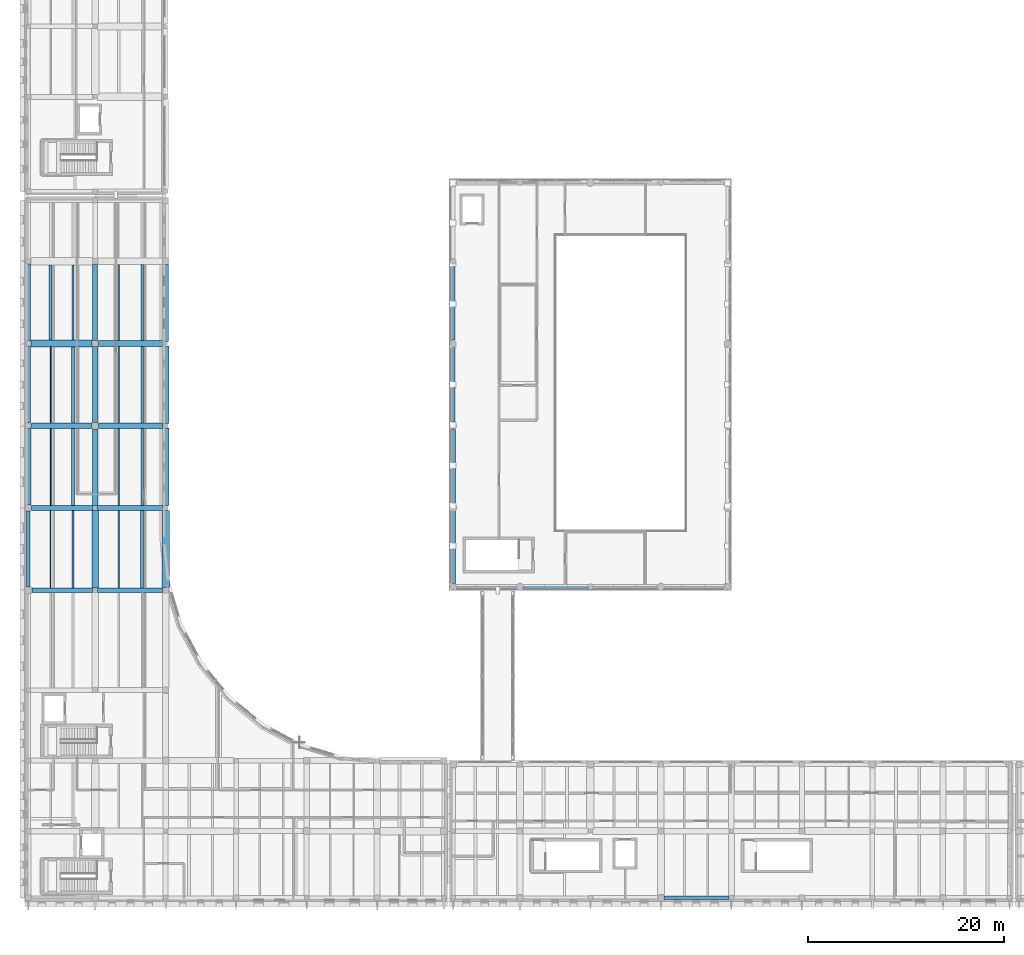
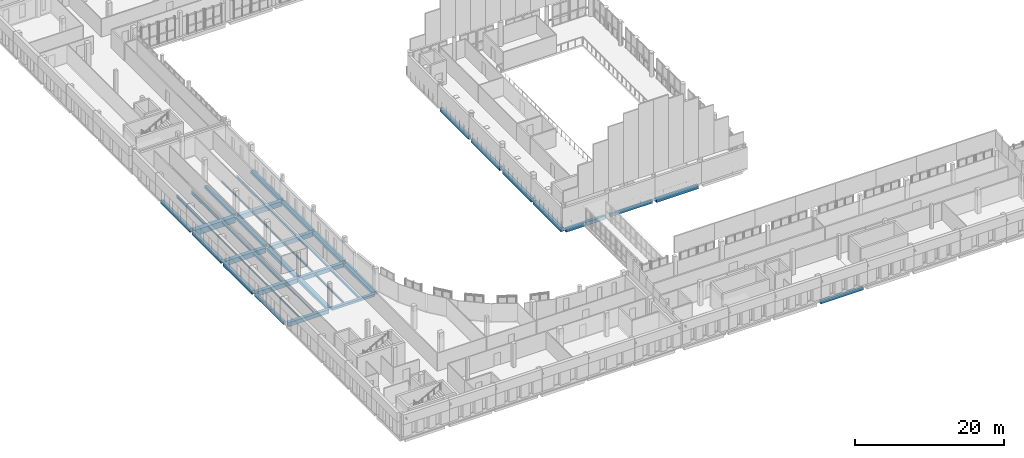
# One storey, part 14 of 76: 44 beams.
"""IFC4 building model written with IfcOpenShell, lengths in metres."""

from ifc_helpers import new_model, si_unit, direction, frame, origin, origin_2d, place, context, subcontext, project, spatial, rectangle, i_section, extrude, material, material_profile, profile_set, type_object, element, save


model = new_model("IFC4")

# Units and contexts
model_context = context("Model", 3, precision=1e-05, world=origin(), true_north=direction((0.0, 1.0)))
body_context = subcontext(model_context, "Body", "Model", "MODEL_VIEW")
ifc_project = project(units=[si_unit("LENGTHUNIT", "METRE"), si_unit("AREAUNIT", "SQUARE_METRE"), si_unit("VOLUMEUNIT", "CUBIC_METRE"), si_unit("PLANEANGLEUNIT", "RADIAN"), si_unit("MASSUNIT", "GRAM", prefix="KILO")], contexts=[model_context])

# Site, building, storey
site_placement = place(None, origin())
site = spatial("IfcSite", under=ifc_project, at=site_placement, CompositionType="ELEMENT")
building_placement = place(site_placement, origin())
building = spatial("IfcBuilding", under=site, at=building_placement, Name="Vardoun Plaza Health Centre", CompositionType="ELEMENT")
storey_placement = place(building_placement, frame((0.0, 0.0, 4.5)))
storey = spatial("IfcBuildingStorey", under=building, at=storey_placement, Name="L01", CompositionType="ELEMENT", Elevation=4.5)

# Beams
ifc_material_1 = material(Name="Concrete C35/45", Category="concrete")
ifc_material_profile_1 = material_profile(ifc_material_1, rectangle(XDim=0.35009765625, YDim=0.5, at=origin_2d()), Name="RC-BM 350x500")
ifc_profile_set_1 = profile_set([ifc_material_profile_1], Name="Concrete C35/45")
beam_type_1 = type_object("IfcBeamType", Name="B-08", PredefinedType="SPANDREL", material=ifc_profile_set_1)
beam_1_placement = place(storey_placement, frame((55.455078125, 36.679931640625, -0.530029296875), z_axis=(1.0, 0.0, 0.0), x_axis=(0.0, 1.0, 0.0)))
element("IfcBeam", 1, at=beam_1_placement, inside=storey, type_object=beam_type_1, Name="V1 L01 Beam B-V1-L01-X03", PredefinedType="SPANDREL", context=body_context, shape_type="SweptSolid", body=[
    extrude(rectangle(XDim=0.35009765625, YDim=0.5, at=origin_2d()), origin(), (0.0, 0.0, 1.0), 6.52490234375),
])
beam_2_placement = place(storey_placement, frame((4.8798828125, 36.650146484375, -0.530029296875), z_axis=(0.0, 1.0, 0.0), x_axis=(-1.0, 0.0, 0.0)))
element("IfcBeam", 2, at=beam_2_placement, inside=storey, type_object=beam_type_1, Name="V2 L01 Beam B-V2-L01-Y37", PredefinedType="SPANDREL", context=body_context, shape_type="SweptSolid", body=[
    extrude(rectangle(XDim=0.35009765625, YDim=0.5, at=origin_2d()), origin(), (0.0, 0.0, 1.0), 7.724853515625),
])
beam_3_placement = place(storey_placement, frame((69.804931640625, 4.8798828125, -0.56494140625), z_axis=(1.0, 0.0, 0.0), x_axis=(0.0, 1.0, 0.0)))
element("IfcBeam", 3, at=beam_3_placement, inside=storey, type_object=beam_type_1, Name="V4 L01 Beam B-V4-L01-X10", PredefinedType="SPANDREL", context=body_context, shape_type="SweptSolid", body=[
    extrude(rectangle(XDim=0.35009765625, YDim=0.5, at=origin_2d()), origin(), (0.0, 0.0, 1.0), 6.625),
])
ifc_material_2 = material(Name="Concrete C35/45", Category="concrete")
ifc_material_profile_2 = material_profile(ifc_material_2, rectangle(XDim=0.39990234375, YDim=0.550048828125, at=origin_2d()), Name="RC-BM 400x550")
ifc_profile_set_2 = profile_set([ifc_material_profile_2], Name="Concrete C35/45")
beam_type_2 = type_object("IfcBeamType", Name="B-09", PredefinedType="SPANDREL", material=ifc_profile_set_2)
beam_4_placement = place(storey_placement, frame((48.260009765625, 61.85009765625, -0.554931640625), z_axis=(0.0, 1.0, 0.0), x_axis=(-1.0, 0.0, 0.0)))
element("IfcBeam", 4, at=beam_4_placement, inside=storey, type_object=beam_type_2, Name="V1 L01 Beam B-V1-L01-Y12", PredefinedType="SPANDREL", context=body_context, shape_type="SweptSolid", body=[
    extrude(rectangle(XDim=0.39990234375, YDim=0.550048828125, at=origin_2d()), origin(), (0.0, 0.0, 1.0), 7.75),
])
ifc_material_3 = material(Name="Concrete C35/45", Category="concrete")
ifc_material_profile_3 = material_profile(ifc_material_3, rectangle(XDim=0.419921875, YDim=0.580078125, at=origin_2d()), Name="RC-BM 420x580")
ifc_profile_set_3 = profile_set([ifc_material_profile_3], Name="Concrete C35/45")
beam_type_3 = type_object("IfcBeamType", Name="B-10", PredefinedType="SPANDREL", material=ifc_profile_set_3)
beam_5_placement = place(storey_placement, frame((48.56005859375, 36.679931640625, -0.570068359375), z_axis=(1.0, 0.0, 0.0), x_axis=(0.0, 1.0, 0.0)))
element("IfcBeam", 5, at=beam_5_placement, inside=storey, type_object=beam_type_3, Name="V1 L01 Beam B-V1-L01-X01", PredefinedType="SPANDREL", context=body_context, shape_type="SweptSolid", body=[
    extrude(rectangle(XDim=0.419921875, YDim=0.580078125, at=origin_2d()), origin(), (0.0, 0.0, 1.0), 6.14501953125),
])
beam_6_placement = place(storey_placement, frame((48.260009765625, 53.47509765625, -0.570068359375), z_axis=(0.0, 1.0, 0.0), x_axis=(-1.0, 0.0, 0.0)))
element("IfcBeam", 6, at=beam_6_placement, inside=storey, type_object=beam_type_3, Name="V1 L01 Beam B-V1-L01-Y11", PredefinedType="SPANDREL", context=body_context, shape_type="SweptSolid", body=[
    extrude(rectangle(XDim=0.419921875, YDim=0.580078125, at=origin_2d()), origin(), (0.0, 0.0, 1.0), 7.675048828125),
])
beam_7_placement = place(storey_placement, frame((4.8798828125, 61.775146484375, -0.570068359375), z_axis=(0.0, 1.0, 0.0), x_axis=(-1.0, 0.0, 0.0)))
element("IfcBeam", 7, at=beam_7_placement, inside=storey, type_object=beam_type_3, Name="V2 L01 Beam B-V2-L01-Y40", PredefinedType="SPANDREL", context=body_context, shape_type="SweptSolid", body=[
    extrude(rectangle(XDim=0.419921875, YDim=0.580078125, at=origin_2d()), origin(), (0.0, 0.0, 1.0), 7.875),
])
ifc_material_4 = material(Name="Concrete C35/45", Category="concrete")
ifc_material_profile_4 = material_profile(ifc_material_4, rectangle(XDim=0.449951171875, YDim=0.3798828125, at=origin_2d()), Name="RC-BM 450x380")
ifc_profile_set_4 = profile_set([ifc_material_profile_4], Name="Concrete C35/45")
beam_type_4 = type_object("IfcBeamType", Name="B-01", PredefinedType="BEAM", material=ifc_profile_set_4)
beam_8_placement = place(storey_placement, frame((11.949951171875, 36.300048828125, -0.469970703125), z_axis=(1.0, 0.0, 0.0), x_axis=(0.0, 1.0, 0.0)))
element("IfcBeam", 8, at=beam_8_placement, inside=storey, type_object=beam_type_4, Name="V2 L01 Beam B-V2-L01-X15", PredefinedType="BEAM", context=body_context, shape_type="SweptSolid", body=[
    extrude(rectangle(XDim=0.449951171875, YDim=0.3798828125, at=origin_2d()), origin(), (0.0, 0.0, 1.0), 6.650146484375),
])
ifc_material_5 = material(Name="Concrete C35/45", Category="concrete")
ifc_material_profile_5 = material_profile(ifc_material_5, rectangle(XDim=0.449951171875, YDim=0.60009765625, at=origin_2d()), Name="RC-BM 450x600")
ifc_profile_set_5 = profile_set([ifc_material_profile_5], Name="Concrete C35/45")
beam_type_5 = type_object("IfcBeamType", Name="B-11", PredefinedType="SPANDREL", material=ifc_profile_set_5)
beam_9_placement = place(storey_placement, frame((62.580078125, 36.679931640625, -0.580078125), z_axis=(1.0, 0.0, 0.0), x_axis=(0.0, 1.0, 0.0)))
element("IfcBeam", 9, at=beam_9_placement, inside=storey, type_object=beam_type_5, Name="V1 L01 Beam B-V1-L01-X05", PredefinedType="SPANDREL", context=body_context, shape_type="SweptSolid", body=[
    extrude(rectangle(XDim=0.449951171875, YDim=0.60009765625, at=origin_2d()), origin(), (0.0, 0.0, 1.0), 6.52490234375),
])
beam_10_placement = place(storey_placement, frame((48.260009765625, 44.97509765625, -0.580078125), z_axis=(0.0, 1.0, 0.0), x_axis=(-1.0, 0.0, 0.0)))
element("IfcBeam", 10, at=beam_10_placement, inside=storey, type_object=beam_type_5, Name="V1 L01 Beam B-V1-L01-Y10", PredefinedType="SPANDREL", context=body_context, shape_type="SweptSolid", body=[
    extrude(rectangle(XDim=0.449951171875, YDim=0.60009765625, at=origin_2d()), origin(), (0.0, 0.0, 1.0), 7.75),
])
beam_11_placement = place(storey_placement, frame((4.8798828125, 53.400146484375, -0.580078125), z_axis=(0.0, 1.0, 0.0), x_axis=(-1.0, 0.0, 0.0)))
element("IfcBeam", 11, at=beam_11_placement, inside=storey, type_object=beam_type_5, Name="V2 L01 Beam B-V2-L01-Y39", PredefinedType="SPANDREL", context=body_context, shape_type="SweptSolid", body=[
    extrude(rectangle(XDim=0.449951171875, YDim=0.60009765625, at=origin_2d()), origin(), (0.0, 0.0, 1.0), 7.824951171875),
])
ifc_material_6 = material(Name="Concrete C35/45", Category="concrete")
ifc_material_profile_6 = material_profile(ifc_material_6, rectangle(XDim=0.47998046875, YDim=0.6201171875, at=origin_2d()), Name="RC-BM 480x620")
ifc_profile_set_6 = profile_set([ifc_material_profile_6], Name="Concrete C35/45")
beam_type_6 = type_object("IfcBeamType", Name="B-12", PredefinedType="SPANDREL", material=ifc_profile_set_6)
beam_12_placement = place(storey_placement, frame((48.260009765625, 36.97998046875, -0.590087890625), z_axis=(0.0, 1.0, 0.0), x_axis=(-1.0, 0.0, 0.0)))
element("IfcBeam", 12, at=beam_12_placement, inside=storey, type_object=beam_type_6, Name="V1 L01 Beam B-V1-L01-Y09", PredefinedType="SPANDREL", context=body_context, shape_type="SweptSolid", body=[
    extrude(rectangle(XDim=0.47998046875, YDim=0.6201171875, at=origin_2d()), origin(), (0.0, 0.0, 1.0), 7.445068359375),
])
beam_13_placement = place(storey_placement, frame((4.8798828125, 45.025146484375, -0.590087890625), z_axis=(0.0, 1.0, 0.0), x_axis=(-1.0, 0.0, 0.0)))
element("IfcBeam", 13, at=beam_13_placement, inside=storey, type_object=beam_type_6, Name="V2 L01 Beam B-V2-L01-Y38", PredefinedType="SPANDREL", context=body_context, shape_type="SweptSolid", body=[
    extrude(rectangle(XDim=0.47998046875, YDim=0.6201171875, at=origin_2d()), origin(), (0.0, 0.0, 1.0), 7.77490234375),
])
ifc_material_7 = material(Name="Concrete C35/45", Category="concrete")
ifc_material_profile_7 = material_profile(ifc_material_7, rectangle(XDim=0.5, YDim=0.39990234375, at=origin_2d()), Name="RC-BM 500x400")
ifc_profile_set_7 = profile_set([ifc_material_profile_7], Name="Concrete C35/45")
beam_type_7 = type_object("IfcBeamType", Name="B-02", PredefinedType="BEAM", material=ifc_profile_set_7)
beam_14_placement = place(storey_placement, frame((11.699951171875, 61.824951171875, -0.47998046875), z_axis=(0.0, 1.0, 0.0), x_axis=(-1.0, 0.0, 0.0)))
element("IfcBeam", 14, at=beam_14_placement, inside=storey, type_object=beam_type_7, Name="V2 L01 Beam B-V2-L01-Y47", PredefinedType="BEAM", context=body_context, shape_type="SweptSolid", body=[
    extrude(rectangle(XDim=0.5, YDim=0.39990234375, at=origin_2d()), origin(), (0.0, 0.0, 1.0), 7.775146484375),
])
ifc_material_8 = material(Name="Concrete C40/50", Category="concrete")
ifc_material_profile_8 = material_profile(ifc_material_8, rectangle(XDim=0.5, YDim=0.64990234375, at=origin_2d()), Name="RC-BM 500x650")
ifc_profile_set_8 = profile_set([ifc_material_profile_8], Name="Concrete C40/50")
beam_type_8 = type_object("IfcBeamType", Name="B-13", PredefinedType="BEAM", material=ifc_profile_set_8)
beam_15_placement = place(storey_placement, frame((5.22998046875, 36.300048828125, -0.60498046875), z_axis=(1.0, 0.0, 0.0), x_axis=(0.0, 1.0, 0.0)))
element("IfcBeam", 15, at=beam_15_placement, inside=storey, type_object=beam_type_8, Name="V2 L01 Beam B-V2-L01-X05", PredefinedType="BEAM", context=body_context, shape_type="SweptSolid", body=[
    extrude(rectangle(XDim=0.5, YDim=0.64990234375, at=origin_2d()), origin(), (0.0, 0.0, 1.0), 6.219970703125),
])
beam_16_placement = place(storey_placement, frame((11.925048828125, 44.699951171875, -0.60498046875), z_axis=(1.0, 0.0, 0.0), x_axis=(0.0, 1.0, 0.0)))
element("IfcBeam", 16, at=beam_16_placement, inside=storey, type_object=beam_type_8, Name="V2 L01 Beam B-V2-L01-X16", PredefinedType="BEAM", context=body_context, shape_type="SweptSolid", body=[
    extrude(rectangle(XDim=0.5, YDim=0.64990234375, at=origin_2d()), origin(), (0.0, 0.0, 1.0), 6.699951171875),
])
ifc_material_9 = material(Name="Concrete C35/45", Category="concrete")
ifc_material_profile_9 = material_profile(ifc_material_9, rectangle(XDim=0.550048828125, YDim=0.419921875, at=origin_2d()), Name="RC-BM 550x420")
ifc_profile_set_9 = profile_set([ifc_material_profile_9], Name="Concrete C35/45")
beam_type_9 = type_object("IfcBeamType", Name="B-03", PredefinedType="BEAM", material=ifc_profile_set_9)
beam_17_placement = place(storey_placement, frame((11.699951171875, 53.449951171875, -0.489990234375), z_axis=(0.0, 1.0, 0.0), x_axis=(-1.0, 0.0, 0.0)))
element("IfcBeam", 17, at=beam_17_placement, inside=storey, type_object=beam_type_9, Name="V2 L01 Beam B-V2-L01-Y46", PredefinedType="BEAM", context=body_context, shape_type="SweptSolid", body=[
    extrude(rectangle(XDim=0.550048828125, YDim=0.419921875, at=origin_2d()), origin(), (0.0, 0.0, 1.0), 7.72509765625),
])
ifc_material_10 = material(Name="Concrete C40/50", Category="concrete")
ifc_material_profile_10 = material_profile(ifc_material_10, rectangle(XDim=0.550048828125, YDim=0.719970703125, at=origin_2d()), Name="RC-BM 550x720")
ifc_profile_set_10 = profile_set([ifc_material_profile_10], Name="Concrete C40/50")
beam_type_10 = type_object("IfcBeamType", Name="B-14", PredefinedType="BEAM", material=ifc_profile_set_10)
beam_18_placement = place(storey_placement, frame((5.205078125, 44.699951171875, -0.639892578125), z_axis=(1.0, 0.0, 0.0), x_axis=(0.0, 1.0, 0.0)))
element("IfcBeam", 18, at=beam_18_placement, inside=storey, type_object=beam_type_10, Name="V2 L01 Beam B-V2-L01-X06", PredefinedType="BEAM", context=body_context, shape_type="SweptSolid", body=[
    extrude(rectangle(XDim=0.550048828125, YDim=0.719970703125, at=origin_2d()), origin(), (0.0, 0.0, 1.0), 6.27001953125),
])
beam_19_placement = place(storey_placement, frame((12.050048828125, 53.10009765625, -0.639892578125), z_axis=(1.0, 0.0, 0.0), x_axis=(0.0, 1.0, 0.0)))
element("IfcBeam", 19, at=beam_19_placement, inside=storey, type_object=beam_type_10, Name="V2 L01 Beam B-V2-L01-X17", PredefinedType="BEAM", context=body_context, shape_type="SweptSolid", body=[
    extrude(rectangle(XDim=0.550048828125, YDim=0.719970703125, at=origin_2d()), origin(), (0.0, 0.0, 1.0), 6.599853515625),
])
ifc_material_11 = material(Name="Concrete C35/45", Category="concrete")
ifc_material_profile_11 = material_profile(ifc_material_11, rectangle(XDim=0.60009765625, YDim=0.449951171875, at=origin_2d()), Name="RC-BM 600x450")
ifc_profile_set_11 = profile_set([ifc_material_profile_11], Name="Concrete C35/45")
beam_type_11 = type_object("IfcBeamType", Name="B-04", PredefinedType="BEAM", material=ifc_profile_set_11)
for number, where, z_axis, x_axis, name in (
    (20, (11.699951171875, 44.925048828125, -0.5048828125), (0.0, 1.0, 0.0), (-1.0, 0.0, 0.0), "V2 L01 Beam B-V2-L01-Y45"),
    (21, (18.89990234375, 61.72509765625, -0.5048828125), (0.0, 1.0, 0.0), (-1.0, 0.0, 0.0), "V2 L01 Beam B-V2-L01-Y56"),
):
    element("IfcBeam", number, at=place(storey_placement, frame(where, z_axis=z_axis, x_axis=x_axis)), inside=storey, type_object=beam_type_11, Name=name, PredefinedType="BEAM", context=body_context, shape_type="SweptSolid", body=[
        extrude(rectangle(XDim=0.60009765625, YDim=0.449951171875, at=origin_2d()), origin(), (0.0, 0.0, 1.0), 7.824951171875),
    ])
ifc_material_12 = material(Name="Concrete C40/50", Category="concrete")
ifc_material_profile_12 = material_profile(ifc_material_12, rectangle(XDim=0.60009765625, YDim=0.800048828125, at=origin_2d()), Name="RC-BM 600x800")
ifc_profile_set_12 = profile_set([ifc_material_profile_12], Name="Concrete C40/50")
beam_type_12 = type_object("IfcBeamType", Name="B-15", PredefinedType="JOIST", material=ifc_profile_set_12)
beam_20_placement = place(storey_placement, frame((5.179931640625, 53.10009765625, -0.679931640625), z_axis=(1.0, 0.0, 0.0), x_axis=(0.0, 1.0, 0.0)))
element("IfcBeam", 22, at=beam_20_placement, inside=storey, type_object=beam_type_12, Name="V2 L01 Beam B-V2-L01-X07", PredefinedType="JOIST", context=body_context, shape_type="SweptSolid", body=[
    extrude(rectangle(XDim=0.60009765625, YDim=0.800048828125, at=origin_2d()), origin(), (0.0, 0.0, 1.0), 6.170166015625),
])
beam_21_placement = place(storey_placement, frame((12.02490234375, 61.5, -0.679931640625), z_axis=(1.0, 0.0, 0.0), x_axis=(0.0, 1.0, 0.0)))
element("IfcBeam", 23, at=beam_21_placement, inside=storey, type_object=beam_type_12, Name="V2 L01 Beam B-V2-L01-X18", PredefinedType="JOIST", context=body_context, shape_type="SweptSolid", body=[
    extrude(rectangle(XDim=0.60009765625, YDim=0.800048828125, at=origin_2d()), origin(), (0.0, 0.0, 1.0), 6.650146484375),
])
ifc_material_13 = material(Name="Concrete C35/45", Category="concrete")
ifc_material_profile_13 = material_profile(ifc_material_13, rectangle(XDim=0.64990234375, YDim=0.449951171875, at=origin_2d()), Name="RC-BM 650x450")
ifc_profile_set_13 = profile_set([ifc_material_profile_13], Name="Concrete C35/45")
beam_type_13 = type_object("IfcBeamType", Name="B-05", PredefinedType="BEAM", material=ifc_profile_set_13)
for number, where, z_axis, x_axis, name in (
    (24, (11.699951171875, 36.550048828125, -0.5048828125), (0.0, 1.0, 0.0), (-1.0, 0.0, 0.0), "V2 L01 Beam B-V2-L01-Y44"),
    (25, (18.89990234375, 53.35009765625, -0.5048828125), (0.0, 1.0, 0.0), (-1.0, 0.0, 0.0), "V2 L01 Beam B-V2-L01-Y55"),
):
    element("IfcBeam", number, at=place(storey_placement, frame(where, z_axis=z_axis, x_axis=x_axis)), inside=storey, type_object=beam_type_13, Name=name, PredefinedType="BEAM", context=body_context, shape_type="SweptSolid", body=[
        extrude(rectangle(XDim=0.64990234375, YDim=0.449951171875, at=origin_2d()), origin(), (0.0, 0.0, 1.0), 7.925048828125),
    ])
ifc_material_14 = material(Name="Concrete C35/45", Category="concrete")
ifc_material_profile_14 = material_profile(ifc_material_14, rectangle(XDim=0.699951171875, YDim=0.449951171875, at=origin_2d()), Name="RC-BM 700x450")
ifc_profile_set_14 = profile_set([ifc_material_profile_14], Name="Concrete C35/45")
beam_type_14 = type_object("IfcBeamType", Name="B-06", PredefinedType="BEAM", material=ifc_profile_set_14)
beam_22_placement = place(storey_placement, frame((18.89990234375, 44.97509765625, -0.5048828125), z_axis=(0.0, 1.0, 0.0), x_axis=(-1.0, 0.0, 0.0)))
element("IfcBeam", 26, at=beam_22_placement, inside=storey, type_object=beam_type_14, Name="V2 L01 Beam B-V2-L01-Y54", PredefinedType="BEAM", context=body_context, shape_type="SweptSolid", body=[
    extrude(rectangle(XDim=0.699951171875, YDim=0.449951171875, at=origin_2d()), origin(), (0.0, 0.0, 1.0), 7.875),
])
ifc_material_15 = material(Name="Concrete C40/50", Category="concrete")
ifc_material_profile_15 = material_profile(ifc_material_15, rectangle(XDim=0.699951171875, YDim=0.949951171875, at=origin_2d()), Name="RC-BM 700x950")
ifc_profile_set_15 = profile_set([ifc_material_profile_15], Name="Concrete C40/50")
beam_type_15 = type_object("IfcBeamType", Name="B-16", PredefinedType="LINTEL", material=ifc_profile_set_15)
beam_23_placement = place(storey_placement, frame((5.155029296875, 61.5, -0.7548828125), z_axis=(1.0, 0.0, 0.0), x_axis=(0.0, 1.0, 0.0)))
element("IfcBeam", 27, at=beam_23_placement, inside=storey, type_object=beam_type_15, Name="V2 L01 Beam B-V2-L01-X08", PredefinedType="LINTEL", context=body_context, shape_type="SweptSolid", body=[
    extrude(rectangle(XDim=0.699951171875, YDim=0.949951171875, at=origin_2d()), origin(), (0.0, 0.0, 1.0), 6.219970703125),
])
ifc_material_16 = material(Name="Concrete C35/45", Category="concrete")
ifc_material_profile_16 = material_profile(ifc_material_16, rectangle(XDim=0.75, YDim=0.47998046875, at=origin_2d()), Name="RC-BM 750x480")
ifc_profile_set_16 = profile_set([ifc_material_profile_16], Name="Concrete C35/45")
beam_type_16 = type_object("IfcBeamType", Name="B-07", PredefinedType="BEAM", material=ifc_profile_set_16)
beam_24_placement = place(storey_placement, frame((18.89990234375, 36.60009765625, -0.52001953125), z_axis=(0.0, 1.0, 0.0), x_axis=(-1.0, 0.0, 0.0)))
element("IfcBeam", 28, at=beam_24_placement, inside=storey, type_object=beam_type_16, Name="V2 L01 Beam B-V2-L01-Y53", PredefinedType="BEAM", context=body_context, shape_type="SweptSolid", body=[
    extrude(rectangle(XDim=0.75, YDim=0.47998046875, at=origin_2d()), origin(), (0.0, 0.0, 1.0), 7.824951171875),
])
ifc_material_17 = material(Name="Steel S355J2", Category="steel")
ifc_material_profile_17 = material_profile(ifc_material_17, i_section(OverallWidth=0.199951171875, OverallDepth=0.18994140625, WebThickness=0.006591796875, FlangeThickness=0.010009765625, FilletRadius=0.01806640625, at=origin_2d()), Name="HEA 200")
ifc_profile_set_17 = profile_set([ifc_material_profile_17], Name="Steel S355J2")
beam_type_17 = type_object("IfcBeamType", Name="SB-09", PredefinedType="BEAM", material=ifc_profile_set_17)
beam_25_placement = place(storey_placement, frame((9.427001953125, 36.550048828125, -0.375), z_axis=(0.0, 1.0, 0.0), x_axis=(-1.0, 0.0, 0.0)))
element("IfcBeam", 29, at=beam_25_placement, inside=storey, type_object=beam_type_17, Name="V2 L01 Secondary Floor Beam SJ-V2-L01-10", PredefinedType="BEAM", context=body_context, shape_type="SweptSolid", body=[
    extrude(i_section(OverallWidth=0.199951171875, OverallDepth=0.18994140625, WebThickness=0.006591796875, FlangeThickness=0.010009765625, FilletRadius=0.01806640625, at=origin_2d()), origin(), (0.0, 0.0, 1.0), 7.875),
])
ifc_material_18 = material(Name="Steel S355J2", Category="steel")
ifc_material_profile_18 = material_profile(ifc_material_18, i_section(OverallWidth=0.219970703125, OverallDepth=0.2099609375, WebThickness=0.007080078125, FlangeThickness=0.010986328125, FilletRadius=0.01806640625, at=origin_2d()), Name="HEA 220")
ifc_profile_set_18 = profile_set([ifc_material_profile_18], Name="Steel S355J2")
beam_type_18 = type_object("IfcBeamType", Name="SB-08", PredefinedType="BEAM", material=ifc_profile_set_18)
beam_26_placement = place(storey_placement, frame((16.500244140625, 61.800048828125, -0.385009765625), z_axis=(0.0, 1.0, 0.0), x_axis=(-1.0, 0.0, 0.0)))
element("IfcBeam", 30, at=beam_26_placement, inside=storey, type_object=beam_type_18, Name="V2 L01 Secondary Floor Beam SJ-V2-L01-27", PredefinedType="BEAM", context=body_context, shape_type="SweptSolid", body=[
    extrude(i_section(OverallWidth=0.219970703125, OverallDepth=0.2099609375, WebThickness=0.007080078125, FlangeThickness=0.010986328125, FilletRadius=0.01806640625, at=origin_2d()), origin(), (0.0, 0.0, 1.0), 7.75),
])
ifc_material_19 = material(Name="Steel S355J2", Category="steel")
ifc_material_profile_19 = material_profile(ifc_material_19, i_section(OverallWidth=0.239990234375, OverallDepth=0.22998046875, WebThickness=0.007568359375, FlangeThickness=0.011962890625, FilletRadius=0.02099609375, at=origin_2d()), Name="HEA 240")
ifc_profile_set_19 = profile_set([ifc_material_profile_19], Name="Steel S355J2")
beam_type_19 = type_object("IfcBeamType", Name="SB-07", PredefinedType="BEAM", material=ifc_profile_set_19)
beam_27_placement = place(storey_placement, frame((16.500244140625, 53.375, -0.39501953125), z_axis=(0.0, 1.0, 0.0), x_axis=(-1.0, 0.0, 0.0)))
element("IfcBeam", 31, at=beam_27_placement, inside=storey, type_object=beam_type_19, Name="V2 L01 Secondary Floor Beam SJ-V2-L01-26", PredefinedType="BEAM", context=body_context, shape_type="SweptSolid", body=[
    extrude(i_section(OverallWidth=0.239990234375, OverallDepth=0.22998046875, WebThickness=0.007568359375, FlangeThickness=0.011962890625, FilletRadius=0.02099609375, at=origin_2d()), origin(), (0.0, 0.0, 1.0), 7.824951171875),
])
ifc_material_20 = material(Name="Steel S355J2", Category="steel")
ifc_material_profile_20 = material_profile(ifc_material_20, i_section(OverallWidth=0.280029296875, OverallDepth=0.27001953125, WebThickness=0.008056640625, FlangeThickness=0.012939453125, FilletRadius=0.02392578125, at=origin_2d()), Name="HEA 280")
ifc_profile_set_20 = profile_set([ifc_material_profile_20], Name="Steel S355J2")
beam_type_20 = type_object("IfcBeamType", Name="SB-06", PredefinedType="BEAM", material=ifc_profile_set_20)
beam_28_placement = place(storey_placement, frame((16.500244140625, 44.949951171875, -0.4150390625), z_axis=(0.0, 1.0, 0.0), x_axis=(-1.0, 0.0, 0.0)))
element("IfcBeam", 32, at=beam_28_placement, inside=storey, type_object=beam_type_20, Name="V2 L01 Secondary Floor Beam SJ-V2-L01-25", PredefinedType="BEAM", context=body_context, shape_type="SweptSolid", body=[
    extrude(i_section(OverallWidth=0.280029296875, OverallDepth=0.27001953125, WebThickness=0.008056640625, FlangeThickness=0.012939453125, FilletRadius=0.02392578125, at=origin_2d()), origin(), (0.0, 0.0, 1.0), 7.875),
])
ifc_material_21 = material(Name="Steel S355J2", Category="steel")
ifc_material_profile_21 = material_profile(ifc_material_21, i_section(OverallWidth=0.300048828125, OverallDepth=0.330078125, WebThickness=0.009521484375, FlangeThickness=0.0166015625, FilletRadius=0.027099609375, at=origin_2d()), Name="HEA 340")
ifc_profile_set_21 = profile_set([ifc_material_profile_21], Name="Steel S355J2")
beam_type_21 = type_object("IfcBeamType", Name="SB-04", PredefinedType="BEAM", material=ifc_profile_set_21)
beam_29_placement = place(storey_placement, frame((7.153076171875, 61.85009765625, -0.445068359375), z_axis=(0.0, 1.0, 0.0), x_axis=(-1.0, 0.0, 0.0)))
element("IfcBeam", 33, at=beam_29_placement, inside=storey, type_object=beam_type_21, Name="V2 L01 Secondary Floor Beam SJ-V2-L01-06", PredefinedType="BEAM", context=body_context, shape_type="SweptSolid", body=[
    extrude(i_section(OverallWidth=0.300048828125, OverallDepth=0.330078125, WebThickness=0.009521484375, FlangeThickness=0.0166015625, FilletRadius=0.027099609375, at=origin_2d()), origin(), (0.0, 0.0, 1.0), 7.675048828125),
])
beam_30_placement = place(storey_placement, frame((16.500244140625, 36.525146484375, -0.445068359375), z_axis=(0.0, 1.0, 0.0), x_axis=(-1.0, 0.0, 0.0)))
element("IfcBeam", 34, at=beam_30_placement, inside=storey, type_object=beam_type_21, Name="V2 L01 Secondary Floor Beam SJ-V2-L01-24", PredefinedType="BEAM", context=body_context, shape_type="SweptSolid", body=[
    extrude(i_section(OverallWidth=0.300048828125, OverallDepth=0.330078125, WebThickness=0.009521484375, FlangeThickness=0.0166015625, FilletRadius=0.027099609375, at=origin_2d()), origin(), (0.0, 0.0, 1.0), 7.9248046875),
])
ifc_material_22 = material(Name="Steel S355J2", Category="steel")
ifc_material_profile_22 = material_profile(ifc_material_22, i_section(OverallWidth=0.280029296875, OverallDepth=0.280029296875, WebThickness=0.010498046875, FlangeThickness=0.01806640625, FilletRadius=0.02392578125, at=origin_2d()), Name="HEB 280")
ifc_profile_set_22 = profile_set([ifc_material_profile_22], Name="Steel S355J2")
beam_type_22 = type_object("IfcBeamType", Name="SB-02", PredefinedType="BEAM", material=ifc_profile_set_22)
beam_31_placement = place(storey_placement, frame((9.427001953125, 53.400146484375, -0.419921875), z_axis=(0.0, 1.0, 0.0), x_axis=(-1.0, 0.0, 0.0)))
element("IfcBeam", 35, at=beam_31_placement, inside=storey, type_object=beam_type_22, Name="V2 L01 Secondary Floor Beam SJ-V2-L01-12", PredefinedType="BEAM", context=body_context, shape_type="SweptSolid", body=[
    extrude(i_section(OverallWidth=0.280029296875, OverallDepth=0.280029296875, WebThickness=0.010498046875, FlangeThickness=0.01806640625, FilletRadius=0.02392578125, at=origin_2d()), origin(), (0.0, 0.0, 1.0), 7.75),
])
ifc_material_23 = material(Name="Steel S355J2", Category="steel")
ifc_material_profile_23 = material_profile(ifc_material_23, i_section(OverallWidth=0.300048828125, OverallDepth=0.360107421875, WebThickness=0.012451171875, FlangeThickness=0.0224609375, FilletRadius=0.027099609375, at=origin_2d()), Name="HEB 360")
ifc_profile_set_23 = profile_set([ifc_material_profile_23], Name="Steel S355J2")
beam_type_23 = type_object("IfcBeamType", Name="RB-04", PredefinedType="BEAM", material=ifc_profile_set_23)
beam_32_placement = place(storey_placement, frame((9.427001953125, 44.97509765625, -0.4599609375), z_axis=(0.0, 1.0, 0.0), x_axis=(-1.0, 0.0, 0.0)))
element("IfcBeam", 36, at=beam_32_placement, inside=storey, type_object=beam_type_23, Name="V2 L01 Secondary Floor Beam SJ-V2-L01-11", PredefinedType="BEAM", context=body_context, shape_type="SweptSolid", body=[
    extrude(i_section(OverallWidth=0.300048828125, OverallDepth=0.360107421875, WebThickness=0.012451171875, FlangeThickness=0.0224609375, FilletRadius=0.027099609375, at=origin_2d()), origin(), (0.0, 0.0, 1.0), 7.824951171875),
])
ifc_material_24 = material(Name="Steel S355J2", Category="steel")
ifc_material_profile_24 = material_profile(ifc_material_24, i_section(OverallWidth=0.091064453125, OverallDepth=0.179931640625, WebThickness=0.00537109375, FlangeThickness=0.008056640625, FilletRadius=0.009033203125, at=origin_2d()), Name="IPE 180")
ifc_profile_set_24 = profile_set([ifc_material_profile_24], Name="Steel S355J2")
beam_type_24 = type_object("IfcBeamType", Name="SB-20", PredefinedType="SPANDREL", material=ifc_profile_set_24)
beam_33_placement = place(storey_placement, frame((7.153076171875, 53.400146484375, -0.3701171875), z_axis=(0.0, 1.0, 0.0), x_axis=(-1.0, 0.0, 0.0)))
element("IfcBeam", 37, at=beam_33_placement, inside=storey, type_object=beam_type_24, Name="V2 L01 Secondary Floor Beam SJ-V2-L01-05", PredefinedType="SPANDREL", context=body_context, shape_type="SweptSolid", body=[
    extrude(i_section(OverallWidth=0.091064453125, OverallDepth=0.179931640625, WebThickness=0.00537109375, FlangeThickness=0.008056640625, FilletRadius=0.009033203125, at=origin_2d()), origin(), (0.0, 0.0, 1.0), 7.75),
])
ifc_material_25 = material(Name="Steel S355J2", Category="steel")
ifc_material_profile_25 = material_profile(ifc_material_25, i_section(OverallWidth=0.10009765625, OverallDepth=0.199951171875, WebThickness=0.005615234375, FlangeThickness=0.008544921875, FilletRadius=0.011962890625, at=origin_2d()), Name="IPE 200")
ifc_profile_set_25 = profile_set([ifc_material_profile_25], Name="Steel S355J2")
beam_type_25 = type_object("IfcBeamType", Name="SB-19", PredefinedType="SPANDREL", material=ifc_profile_set_25)
beam_34_placement = place(storey_placement, frame((7.153076171875, 44.97509765625, -0.3798828125), z_axis=(0.0, 1.0, 0.0), x_axis=(-1.0, 0.0, 0.0)))
element("IfcBeam", 38, at=beam_34_placement, inside=storey, type_object=beam_type_25, Name="V2 L01 Secondary Floor Beam SJ-V2-L01-04", PredefinedType="SPANDREL", context=body_context, shape_type="SweptSolid", body=[
    extrude(i_section(OverallWidth=0.10009765625, OverallDepth=0.199951171875, WebThickness=0.005615234375, FlangeThickness=0.008544921875, FilletRadius=0.011962890625, at=origin_2d()), origin(), (0.0, 0.0, 1.0), 7.824951171875),
])
ifc_material_26 = material(Name="Steel S355J2", Category="steel")
ifc_material_profile_26 = material_profile(ifc_material_26, i_section(OverallWidth=0.110107421875, OverallDepth=0.219970703125, WebThickness=0.005859375, FlangeThickness=0.00927734375, FilletRadius=0.011962890625, at=origin_2d()), Name="IPE 220")
ifc_profile_set_26 = profile_set([ifc_material_profile_26], Name="Steel S355J2")
beam_type_26 = type_object("IfcBeamType", Name="SB-18", PredefinedType="JOIST", material=ifc_profile_set_26)
beam_35_placement = place(storey_placement, frame((7.153076171875, 36.550048828125, -0.389892578125), z_axis=(0.0, 1.0, 0.0), x_axis=(-1.0, 0.0, 0.0)))
element("IfcBeam", 39, at=beam_35_placement, inside=storey, type_object=beam_type_26, Name="V2 L01 Secondary Floor Beam SJ-V2-L01-03", PredefinedType="JOIST", context=body_context, shape_type="SweptSolid", body=[
    extrude(i_section(OverallWidth=0.110107421875, OverallDepth=0.219970703125, WebThickness=0.005859375, FlangeThickness=0.00927734375, FilletRadius=0.011962890625, at=origin_2d()), origin(), (0.0, 0.0, 1.0), 7.875),
])
ifc_material_27 = material(Name="Steel S355J2", Category="steel")
ifc_material_profile_27 = material_profile(ifc_material_27, i_section(OverallWidth=0.1201171875, OverallDepth=0.239990234375, WebThickness=0.006103515625, FlangeThickness=0.009765625, FilletRadius=0.014892578125, at=origin_2d()), Name="IPE 240")
ifc_profile_set_27 = profile_set([ifc_material_profile_27], Name="Steel S355J2")
beam_type_27 = type_object("IfcBeamType", Name="SB-17", PredefinedType="JOIST", material=ifc_profile_set_27)
beam_36_placement = place(storey_placement, frame((14.099853515625, 61.800048828125, -0.39990234375), z_axis=(0.0, 1.0, 0.0), x_axis=(-1.0, 0.0, 0.0)))
element("IfcBeam", 40, at=beam_36_placement, inside=storey, type_object=beam_type_27, Name="V2 L01 Secondary Floor Beam SJ-V2-L01-20", PredefinedType="JOIST", context=body_context, shape_type="SweptSolid", body=[
    extrude(i_section(OverallWidth=0.1201171875, OverallDepth=0.239990234375, WebThickness=0.006103515625, FlangeThickness=0.009765625, FilletRadius=0.014892578125, at=origin_2d()), origin(), (0.0, 0.0, 1.0), 7.75),
])
ifc_material_28 = material(Name="Steel S355J2", Category="steel")
ifc_material_profile_28 = material_profile(ifc_material_28, i_section(OverallWidth=0.135009765625, OverallDepth=0.27001953125, WebThickness=0.006591796875, FlangeThickness=0.01025390625, FilletRadius=0.014892578125, at=origin_2d()), Name="IPE 270")
ifc_profile_set_28 = profile_set([ifc_material_profile_28], Name="Steel S355J2")
beam_type_28 = type_object("IfcBeamType", Name="SB-16", PredefinedType="JOIST", material=ifc_profile_set_28)
beam_37_placement = place(storey_placement, frame((14.099853515625, 53.375, -0.4150390625), z_axis=(0.0, 1.0, 0.0), x_axis=(-1.0, 0.0, 0.0)))
element("IfcBeam", 41, at=beam_37_placement, inside=storey, type_object=beam_type_28, Name="V2 L01 Secondary Floor Beam SJ-V2-L01-19", PredefinedType="JOIST", context=body_context, shape_type="SweptSolid", body=[
    extrude(i_section(OverallWidth=0.135009765625, OverallDepth=0.27001953125, WebThickness=0.006591796875, FlangeThickness=0.01025390625, FilletRadius=0.014892578125, at=origin_2d()), origin(), (0.0, 0.0, 1.0), 7.824951171875),
])
ifc_material_29 = material(Name="Steel S355J2", Category="steel")
ifc_material_profile_29 = material_profile(ifc_material_29, i_section(OverallWidth=0.14990234375, OverallDepth=0.300048828125, WebThickness=0.007080078125, FlangeThickness=0.0107421875, FilletRadius=0.014892578125, at=origin_2d()), Name="IPE 300")
ifc_profile_set_29 = profile_set([ifc_material_profile_29], Name="Steel S355J2")
beam_type_29 = type_object("IfcBeamType", Name="SB-15", PredefinedType="JOIST", material=ifc_profile_set_29)
beam_38_placement = place(storey_placement, frame((14.099853515625, 44.949951171875, -0.429931640625), z_axis=(0.0, 1.0, 0.0), x_axis=(-1.0, 0.0, 0.0)))
element("IfcBeam", 42, at=beam_38_placement, inside=storey, type_object=beam_type_29, Name="V2 L01 Secondary Floor Beam SJ-V2-L01-18", PredefinedType="JOIST", context=body_context, shape_type="SweptSolid", body=[
    extrude(i_section(OverallWidth=0.14990234375, OverallDepth=0.300048828125, WebThickness=0.007080078125, FlangeThickness=0.0107421875, FilletRadius=0.014892578125, at=origin_2d()), origin(), (0.0, 0.0, 1.0), 7.875),
])
ifc_material_30 = material(Name="Steel S355J2", Category="steel")
ifc_material_profile_30 = material_profile(ifc_material_30, i_section(OverallWidth=0.159912109375, OverallDepth=0.330078125, WebThickness=0.007568359375, FlangeThickness=0.011474609375, FilletRadius=0.01806640625, at=origin_2d()), Name="IPE 330")
ifc_profile_set_30 = profile_set([ifc_material_profile_30], Name="Steel S355J2")
beam_type_30 = type_object("IfcBeamType", Name="SB-14", PredefinedType="JOIST", material=ifc_profile_set_30)
beam_39_placement = place(storey_placement, frame((14.099853515625, 36.525146484375, -0.445068359375), z_axis=(0.0, 1.0, 0.0), x_axis=(-1.0, 0.0, 0.0)))
element("IfcBeam", 43, at=beam_39_placement, inside=storey, type_object=beam_type_30, Name="V2 L01 Secondary Floor Beam SJ-V2-L01-17", PredefinedType="JOIST", context=body_context, shape_type="SweptSolid", body=[
    extrude(i_section(OverallWidth=0.159912109375, OverallDepth=0.330078125, WebThickness=0.007568359375, FlangeThickness=0.011474609375, FilletRadius=0.01806640625, at=origin_2d()), origin(), (0.0, 0.0, 1.0), 7.9248046875),
])
ifc_material_31 = material(Name="Steel S355J2", Category="steel")
ifc_material_profile_31 = material_profile(ifc_material_31, i_section(OverallWidth=0.199951171875, OverallDepth=0.5, WebThickness=0.01025390625, FlangeThickness=0.01611328125, FilletRadius=0.02099609375, at=origin_2d()), Name="IPE 500")
ifc_profile_set_31 = profile_set([ifc_material_profile_31], Name="Steel S355J2")
beam_type_31 = type_object("IfcBeamType", Name="SB-10", PredefinedType="BEAM", material=ifc_profile_set_31)
beam_40_placement = place(storey_placement, frame((9.427001953125, 61.85009765625, -0.530029296875), z_axis=(0.0, 1.0, 0.0), x_axis=(-1.0, 0.0, 0.0)))
element("IfcBeam", 44, at=beam_40_placement, inside=storey, type_object=beam_type_31, Name="V2 L01 Secondary Floor Beam SJ-V2-L01-13", PredefinedType="BEAM", context=body_context, shape_type="SweptSolid", body=[
    extrude(i_section(OverallWidth=0.199951171875, OverallDepth=0.5, WebThickness=0.01025390625, FlangeThickness=0.01611328125, FilletRadius=0.02099609375, at=origin_2d()), origin(), (0.0, 0.0, 1.0), 7.675048828125),
])

save(model, "model.ifc")
